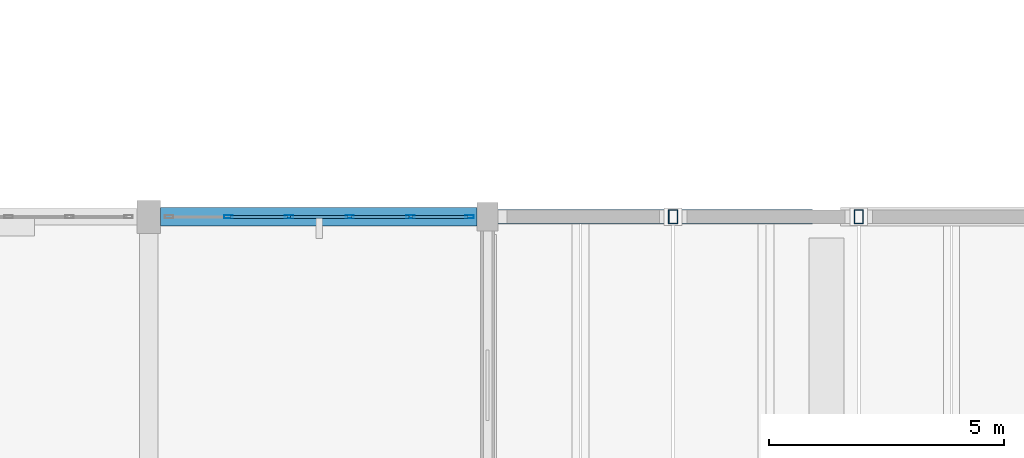
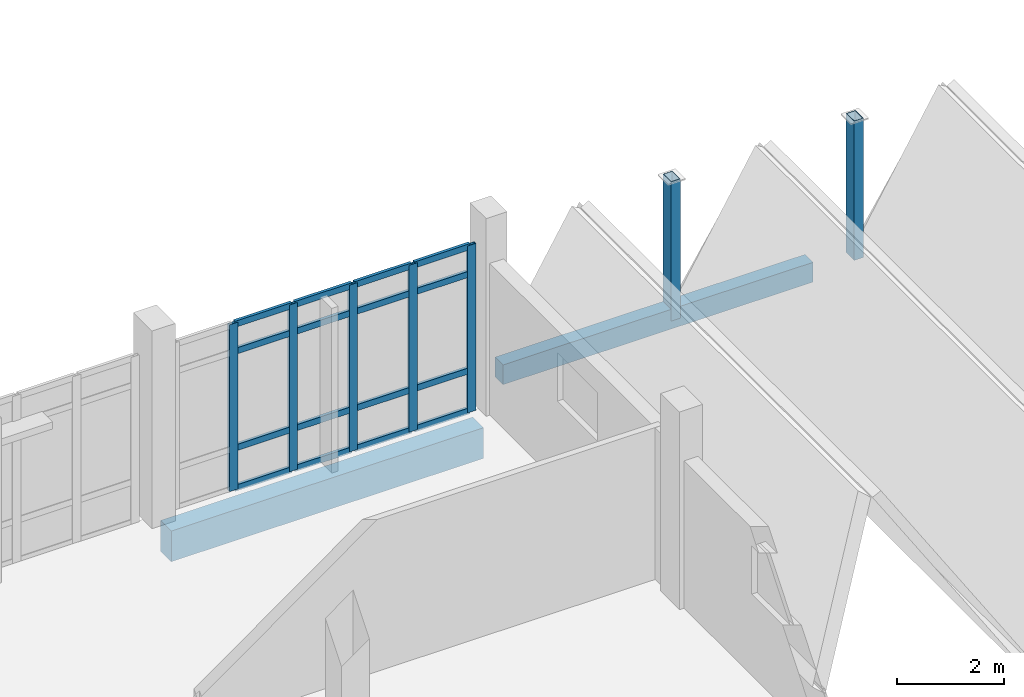
# One storey, part 53 of 124: 23 members, 2 beams, 1 element without a shape of its own.
"""IFC4 building model written with IfcOpenShell, lengths in metres."""

from ifc_helpers import new_model, si_unit, direction, frame, origin, origin_2d, place, context, subcontext, project, spatial, rectangle, hollow_rectangle, extrude, material, material_profile, profile_set, type_object, element, aggregate, save


model = new_model("IFC4")

# Units and contexts
model_context = context("Model", 3, precision=1e-05, world=origin(), true_north=direction((0.0, 1.0)))
body_context = subcontext(model_context, "Body", "Model", "MODEL_VIEW")
ifc_project = project(units=[si_unit("LENGTHUNIT", "METRE"), si_unit("AREAUNIT", "SQUARE_METRE"), si_unit("VOLUMEUNIT", "CUBIC_METRE"), si_unit("PLANEANGLEUNIT", "RADIAN"), si_unit("MASSUNIT", "GRAM", prefix="KILO")], contexts=[model_context])

# Site, building, storey
site_placement = place(None, origin())
site = spatial("IfcSite", under=ifc_project, at=site_placement, CompositionType="ELEMENT")
building_placement = place(site_placement, origin())
building = spatial("IfcBuilding", under=site, at=building_placement, Name="Kalluvel Institute of Natural Sciences", CompositionType="ELEMENT")
storey_placement = place(building_placement, frame((0.0, 0.0, 9.89990234375)))
storey = spatial("IfcBuildingStorey", under=building, at=storey_placement, Name="L02", CompositionType="ELEMENT", Elevation=9.89990234375)

# Curtain wall, members
ifc_material_1 = material(Name="Aluminium AW-6063 T6", Category="aluminium")
curtain_wall_type = type_object("IfcCurtainWallType", Name="CW-SPAV-45", PredefinedType="USERDEFINED", material=ifc_material_1)
curtain_wall_placement = place(storey_placement, origin())
curtain_wall = element("IfcCurtainWall", 1, at=curtain_wall_placement, inside=storey, type_object=curtain_wall_type, Name="L02 Gothic lancet curtain wall CWA-L02-X1080-Y356", ObjectType="UNITISED LANCET FACADE", PredefinedType="USERDEFINED")
ifc_material_profile_1 = material_profile(ifc_material_1, hollow_rectangle(XDim=0.06494140625, YDim=0.179931640625, WallThickness=0.00439453125, at=origin_2d()), Name="CWM 65x180")
ifc_profile_set_1 = profile_set([ifc_material_profile_1], Name="Aluminium AW-6063 T6")
member_type_1 = type_object("IfcMemberType", Name="CWM-65x180", PredefinedType="MULLION", material=ifc_profile_set_1)
member_1_placement = place(storey_placement, frame((109.2900390625, 35.60009765625, 0.0), z_axis=(0.0, 0.0, 1.0), x_axis=(0.0, 1.0, 0.0)))
member_1 = element("IfcMember", 2, at=member_1_placement, type_object=member_type_1, Name="CW-10 mullion 2", PredefinedType="MULLION", context=body_context, shape_type="SweptSolid", body=[
    extrude(hollow_rectangle(XDim=0.06494140625, YDim=0.179931640625, WallThickness=0.00439453125, at=origin_2d()), origin(), (0.0, 0.0, 1.0), 3.800048828125),
])
member_2_placement = place(storey_placement, frame((110.580078125, 35.60009765625, 0.0), z_axis=(0.0, 0.0, 1.0), x_axis=(0.0, 1.0, 0.0)))
member_2 = element("IfcMember", 3, at=member_2_placement, type_object=member_type_1, Name="CW-10 mullion 3", PredefinedType="MULLION", context=body_context, shape_type="SweptSolid", body=[
    extrude(hollow_rectangle(XDim=0.06494140625, YDim=0.179931640625, WallThickness=0.00439453125, at=origin_2d()), origin(), (0.0, 0.0, 1.0), 3.800048828125),
])
member_3_placement = place(storey_placement, frame((111.8701171875, 35.60009765625, 0.0), z_axis=(0.0, 0.0, 1.0), x_axis=(0.0, 1.0, 0.0)))
member_3 = element("IfcMember", 4, at=member_3_placement, type_object=member_type_1, Name="CW-10 mullion 4", PredefinedType="MULLION", context=body_context, shape_type="SweptSolid", body=[
    extrude(hollow_rectangle(XDim=0.06494140625, YDim=0.179931640625, WallThickness=0.00439453125, at=origin_2d()), origin(), (0.0, 0.0, 1.0), 3.800048828125),
])
member_4_placement = place(storey_placement, frame((113.159912109375, 35.60009765625, 0.0), z_axis=(0.0, 0.0, 1.0), x_axis=(0.0, 1.0, 0.0)))
member_4 = element("IfcMember", 5, at=member_4_placement, type_object=member_type_1, Name="CW-10 mullion 5", PredefinedType="MULLION", context=body_context, shape_type="SweptSolid", body=[
    extrude(hollow_rectangle(XDim=0.06494140625, YDim=0.179931640625, WallThickness=0.00439453125, at=origin_2d()), origin(), (0.0, 0.0, 1.0), 3.800048828125),
])
member_5_placement = place(storey_placement, frame((114.41748046875, 35.60009765625, 0.0), z_axis=(0.0, 0.0, 1.0), x_axis=(0.0, 1.0, 0.0)))
member_5 = element("IfcMember", 6, at=member_5_placement, type_object=member_type_1, Name="CW-10 mullion 6", PredefinedType="MULLION", context=body_context, shape_type="SweptSolid", body=[
    extrude(hollow_rectangle(XDim=0.06494140625, YDim=0.179931640625, WallThickness=0.00439453125, at=origin_2d()), origin(), (0.0, 0.0, 1.0), 3.800048828125),
])
ifc_material_profile_2 = material_profile(ifc_material_1, hollow_rectangle(XDim=0.06494140625, YDim=0.139892578125, WallThickness=0.00439453125, at=origin_2d()), Name="CWT 65x140")
ifc_profile_set_2 = profile_set([ifc_material_profile_2], Name="Aluminium AW-6063 T6")
member_type_2 = type_object("IfcMemberType", Name="CWT-65x140", PredefinedType="USERDEFINED", material=ifc_profile_set_2)
member_6_placement = place(storey_placement, frame((109.322509765625, 35.60009765625, 0.03271484375), z_axis=(1.0, 0.0, 0.0), x_axis=(0.0, 1.0, 0.0)))
member_6 = element("IfcMember", 7, at=member_6_placement, type_object=member_type_2, Name="CW-10 transom 2.1", ObjectType="TRANSOM", PredefinedType="USERDEFINED", context=body_context, shape_type="SweptSolid", body=[
    extrude(hollow_rectangle(XDim=0.06494140625, YDim=0.139892578125, WallThickness=0.00439453125, at=origin_2d()), origin(), (0.0, 0.0, 1.0), 1.22509765625),
])
member_7_placement = place(storey_placement, frame((109.322509765625, 35.60009765625, 0.9501953125), z_axis=(1.0, 0.0, 0.0), x_axis=(0.0, 1.0, 0.0)))
member_7 = element("IfcMember", 8, at=member_7_placement, type_object=member_type_2, Name="CW-10 transom 2.2", ObjectType="TRANSOM", PredefinedType="USERDEFINED", context=body_context, shape_type="SweptSolid", body=[
    extrude(hollow_rectangle(XDim=0.06494140625, YDim=0.139892578125, WallThickness=0.00439453125, at=origin_2d()), origin(), (0.0, 0.0, 1.0), 1.22509765625),
])
member_8_placement = place(storey_placement, frame((109.322509765625, 35.60009765625, 3.150146484375), z_axis=(1.0, 0.0, 0.0), x_axis=(0.0, 1.0, 0.0)))
member_8 = element("IfcMember", 9, at=member_8_placement, type_object=member_type_2, Name="CW-10 transom 2.3", ObjectType="TRANSOM", PredefinedType="USERDEFINED", context=body_context, shape_type="SweptSolid", body=[
    extrude(hollow_rectangle(XDim=0.06494140625, YDim=0.139892578125, WallThickness=0.00439453125, at=origin_2d()), origin(), (0.0, 0.0, 1.0), 1.22509765625),
])
member_9_placement = place(storey_placement, frame((109.322509765625, 35.60009765625, 3.767578125), z_axis=(1.0, 0.0, 0.0), x_axis=(0.0, 1.0, 0.0)))
member_9 = element("IfcMember", 10, at=member_9_placement, type_object=member_type_2, Name="CW-10 transom 2.4", ObjectType="TRANSOM", PredefinedType="USERDEFINED", context=body_context, shape_type="SweptSolid", body=[
    extrude(hollow_rectangle(XDim=0.06494140625, YDim=0.139892578125, WallThickness=0.00439453125, at=origin_2d()), origin(), (0.0, 0.0, 1.0), 1.22509765625),
])
member_10_placement = place(storey_placement, frame((110.612548828125, 35.60009765625, 0.03271484375), z_axis=(1.0, 0.0, 0.0), x_axis=(0.0, 1.0, 0.0)))
member_10 = element("IfcMember", 11, at=member_10_placement, type_object=member_type_2, Name="CW-10 transom 3.1", ObjectType="TRANSOM", PredefinedType="USERDEFINED", context=body_context, shape_type="SweptSolid", body=[
    extrude(hollow_rectangle(XDim=0.06494140625, YDim=0.139892578125, WallThickness=0.00439453125, at=origin_2d()), origin(), (0.0, 0.0, 1.0), 1.224853515625),
])
member_11_placement = place(storey_placement, frame((110.612548828125, 35.60009765625, 0.9501953125), z_axis=(1.0, 0.0, 0.0), x_axis=(0.0, 1.0, 0.0)))
member_11 = element("IfcMember", 12, at=member_11_placement, type_object=member_type_2, Name="CW-10 transom 3.2", ObjectType="TRANSOM", PredefinedType="USERDEFINED", context=body_context, shape_type="SweptSolid", body=[
    extrude(hollow_rectangle(XDim=0.06494140625, YDim=0.139892578125, WallThickness=0.00439453125, at=origin_2d()), origin(), (0.0, 0.0, 1.0), 1.224853515625),
])
member_12_placement = place(storey_placement, frame((110.612548828125, 35.60009765625, 3.150146484375), z_axis=(1.0, 0.0, 0.0), x_axis=(0.0, 1.0, 0.0)))
member_12 = element("IfcMember", 13, at=member_12_placement, type_object=member_type_2, Name="CW-10 transom 3.3", ObjectType="TRANSOM", PredefinedType="USERDEFINED", context=body_context, shape_type="SweptSolid", body=[
    extrude(hollow_rectangle(XDim=0.06494140625, YDim=0.139892578125, WallThickness=0.00439453125, at=origin_2d()), origin(), (0.0, 0.0, 1.0), 1.224853515625),
])
member_13_placement = place(storey_placement, frame((110.612548828125, 35.60009765625, 3.767578125), z_axis=(1.0, 0.0, 0.0), x_axis=(0.0, 1.0, 0.0)))
member_13 = element("IfcMember", 14, at=member_13_placement, type_object=member_type_2, Name="CW-10 transom 3.4", ObjectType="TRANSOM", PredefinedType="USERDEFINED", context=body_context, shape_type="SweptSolid", body=[
    extrude(hollow_rectangle(XDim=0.06494140625, YDim=0.139892578125, WallThickness=0.00439453125, at=origin_2d()), origin(), (0.0, 0.0, 1.0), 1.224853515625),
])
member_14_placement = place(storey_placement, frame((111.902587890625, 35.60009765625, 0.03271484375), z_axis=(1.0, 0.0, 0.0), x_axis=(0.0, 1.0, 0.0)))
member_14 = element("IfcMember", 15, at=member_14_placement, type_object=member_type_2, Name="CW-10 transom 4.1", ObjectType="TRANSOM", PredefinedType="USERDEFINED", context=body_context, shape_type="SweptSolid", body=[
    extrude(hollow_rectangle(XDim=0.06494140625, YDim=0.139892578125, WallThickness=0.00439453125, at=origin_2d()), origin(), (0.0, 0.0, 1.0), 1.224853515625),
])
member_15_placement = place(storey_placement, frame((111.902587890625, 35.60009765625, 0.9501953125), z_axis=(1.0, 0.0, 0.0), x_axis=(0.0, 1.0, 0.0)))
member_15 = element("IfcMember", 16, at=member_15_placement, type_object=member_type_2, Name="CW-10 transom 4.2", ObjectType="TRANSOM", PredefinedType="USERDEFINED", context=body_context, shape_type="SweptSolid", body=[
    extrude(hollow_rectangle(XDim=0.06494140625, YDim=0.139892578125, WallThickness=0.00439453125, at=origin_2d()), origin(), (0.0, 0.0, 1.0), 1.224853515625),
])
member_16_placement = place(storey_placement, frame((111.902587890625, 35.60009765625, 3.150146484375), z_axis=(1.0, 0.0, 0.0), x_axis=(0.0, 1.0, 0.0)))
member_16 = element("IfcMember", 17, at=member_16_placement, type_object=member_type_2, Name="CW-10 transom 4.3", ObjectType="TRANSOM", PredefinedType="USERDEFINED", context=body_context, shape_type="SweptSolid", body=[
    extrude(hollow_rectangle(XDim=0.06494140625, YDim=0.139892578125, WallThickness=0.00439453125, at=origin_2d()), origin(), (0.0, 0.0, 1.0), 1.224853515625),
])
member_17_placement = place(storey_placement, frame((111.902587890625, 35.60009765625, 3.767578125), z_axis=(1.0, 0.0, 0.0), x_axis=(0.0, 1.0, 0.0)))
member_17 = element("IfcMember", 18, at=member_17_placement, type_object=member_type_2, Name="CW-10 transom 4.4", ObjectType="TRANSOM", PredefinedType="USERDEFINED", context=body_context, shape_type="SweptSolid", body=[
    extrude(hollow_rectangle(XDim=0.06494140625, YDim=0.139892578125, WallThickness=0.00439453125, at=origin_2d()), origin(), (0.0, 0.0, 1.0), 1.224853515625),
])
member_18_placement = place(storey_placement, frame((113.1923828125, 35.60009765625, 0.03271484375), z_axis=(1.0, 0.0, 0.0), x_axis=(0.0, 1.0, 0.0)))
member_18 = element("IfcMember", 19, at=member_18_placement, type_object=member_type_2, Name="CW-10 transom 5.1", ObjectType="TRANSOM", PredefinedType="USERDEFINED", context=body_context, shape_type="SweptSolid", body=[
    extrude(hollow_rectangle(XDim=0.06494140625, YDim=0.139892578125, WallThickness=0.00439453125, at=origin_2d()), origin(), (0.0, 0.0, 1.0), 1.192626953125),
])
member_19_placement = place(storey_placement, frame((113.1923828125, 35.60009765625, 0.9501953125), z_axis=(1.0, 0.0, 0.0), x_axis=(0.0, 1.0, 0.0)))
member_19 = element("IfcMember", 20, at=member_19_placement, type_object=member_type_2, Name="CW-10 transom 5.2", ObjectType="TRANSOM", PredefinedType="USERDEFINED", context=body_context, shape_type="SweptSolid", body=[
    extrude(hollow_rectangle(XDim=0.06494140625, YDim=0.139892578125, WallThickness=0.00439453125, at=origin_2d()), origin(), (0.0, 0.0, 1.0), 1.192626953125),
])
member_20_placement = place(storey_placement, frame((113.1923828125, 35.60009765625, 3.150146484375), z_axis=(1.0, 0.0, 0.0), x_axis=(0.0, 1.0, 0.0)))
member_20 = element("IfcMember", 21, at=member_20_placement, type_object=member_type_2, Name="CW-10 transom 5.3", ObjectType="TRANSOM", PredefinedType="USERDEFINED", context=body_context, shape_type="SweptSolid", body=[
    extrude(hollow_rectangle(XDim=0.06494140625, YDim=0.139892578125, WallThickness=0.00439453125, at=origin_2d()), origin(), (0.0, 0.0, 1.0), 1.192626953125),
])
member_21_placement = place(storey_placement, frame((113.1923828125, 35.60009765625, 3.767578125), z_axis=(1.0, 0.0, 0.0), x_axis=(0.0, 1.0, 0.0)))
member_21 = element("IfcMember", 22, at=member_21_placement, type_object=member_type_2, Name="CW-10 transom 5.4", ObjectType="TRANSOM", PredefinedType="USERDEFINED", context=body_context, shape_type="SweptSolid", body=[
    extrude(hollow_rectangle(XDim=0.06494140625, YDim=0.139892578125, WallThickness=0.00439453125, at=origin_2d()), origin(), (0.0, 0.0, 1.0), 1.192626953125),
])
aggregate(curtain_wall, [member_1, member_2, member_3, member_4, member_5, member_6, member_7, member_8, member_9, member_10, member_11, member_12, member_13, member_14, member_15, member_16, member_17, member_18, member_19, member_20, member_21])

# Members
ifc_material_2 = material(Name="Steel E350 Grade 350", Category="steel")
ifc_material_profile_3 = material_profile(ifc_material_2, hollow_rectangle(XDim=0.199951171875, YDim=0.300048828125, WallThickness=0.011962890625, at=origin_2d()), Name="RHS 300x200x12")
ifc_profile_set_3 = profile_set([ifc_material_profile_3], Name="Steel E350 Grade 350")
member_type_3 = type_object("IfcMemberType", Name="MB-ARCH-RHS300", PredefinedType="CHORD", material=ifc_profile_set_3)
for number, where, z_axis, x_axis, name in (
    (23, (118.742919921875, 35.60009765625, 0.650146484375), (0.0, 0.0, 1.0), (1.0, 0.0, 0.0), "Lecture theatre folded-plate valley mullion post 8"),
    (24, (122.685791015625, 35.60009765625, 0.650146484375), (0.0, 0.0, 1.0), (1.0, 0.0, 0.0), "Lecture theatre folded-plate valley mullion post 9"),
):
    element("IfcMember", number, at=place(storey_placement, frame(where, z_axis=z_axis, x_axis=x_axis)), inside=storey, type_object=member_type_3, Name=name, PredefinedType="CHORD", context=body_context, shape_type="SweptSolid", body=[
        extrude(hollow_rectangle(XDim=0.199951171875, YDim=0.300048828125, WallThickness=0.011962890625, at=origin_2d()), origin(), (0.0, 0.0, 1.0), 3.169921875),
    ])

# Beams
ifc_material_3 = material(Name="Concrete M40", Category="concrete")
ifc_material_profile_4 = material_profile(ifc_material_3, rectangle(XDim=0.300048828125, YDim=0.449951171875, at=origin_2d()), Name="RCB 300x450")
ifc_profile_set_4 = profile_set([ifc_material_profile_4], Name="Concrete M40")
beam_type_1 = type_object("IfcBeamType", Name="SP-RC300x450", PredefinedType="SPANDREL", material=ifc_profile_set_4)
beam_1_placement = place(storey_placement, frame((115.02490234375, 35.60009765625, 0.695068359375), z_axis=(1.0, 0.0, 0.0), x_axis=(0.0, 1.0, 0.0)))
element("IfcBeam", 25, at=beam_1_placement, inside=storey, type_object=beam_type_1, Name="L02 girder GIR-L02-EW-X1148-Y356", PredefinedType="SPANDREL", context=body_context, shape_type="SweptSolid", body=[
    extrude(rectangle(XDim=0.300048828125, YDim=0.449951171875, at=origin_2d()), origin(), (0.0, 0.0, 1.0), 6.675048828125),
])
ifc_material_profile_5 = material_profile(ifc_material_3, rectangle(XDim=0.39990234375, YDim=0.699951171875, at=origin_2d()), Name="RCB 400x700")
ifc_profile_set_5 = profile_set([ifc_material_profile_5], Name="Concrete M40")
beam_type_2 = type_object("IfcBeamType", Name="SP-RC400x700", PredefinedType="SPANDREL", material=ifc_profile_set_5)
beam_2_placement = place(storey_placement, frame((107.85009765625, 35.60009765625, -0.669921875), z_axis=(1.0, 0.0, 0.0), x_axis=(0.0, 1.0, 0.0)))
element("IfcBeam", 26, at=beam_2_placement, inside=storey, type_object=beam_type_2, Name="L02 girder GIR-L02-EW-X1076-Y356", PredefinedType="SPANDREL", context=body_context, shape_type="SweptSolid", body=[
    extrude(rectangle(XDim=0.39990234375, YDim=0.699951171875, at=origin_2d()), origin(), (0.0, 0.0, 1.0), 6.724853515625),
])

save(model, "model.ifc")
